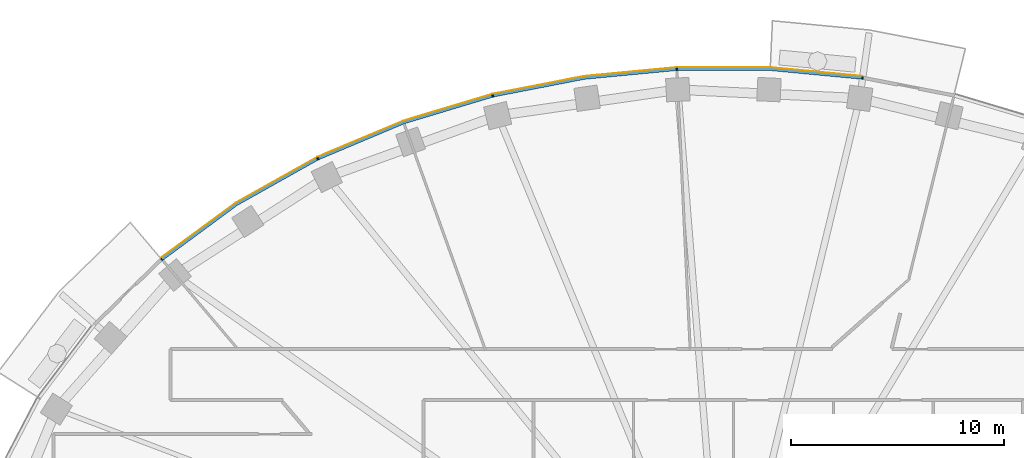
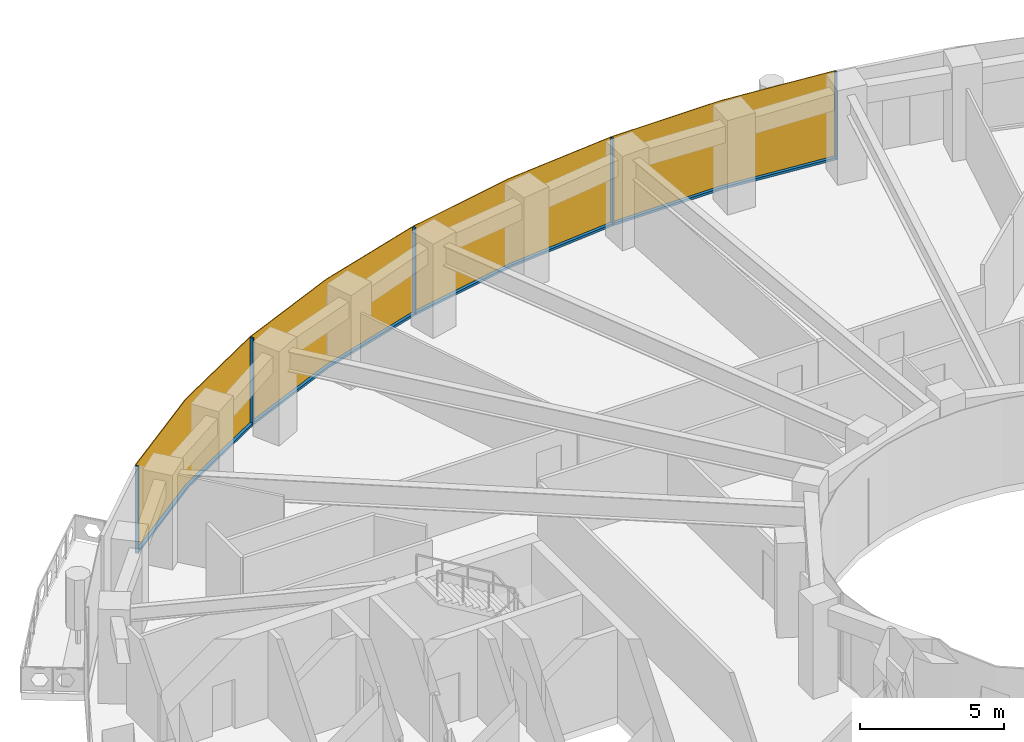
# One storey, part 11 of 16: 9 members, 1 curtain wall.
"""IFC4 building model written with IfcOpenShell, lengths in metres."""

from ifc_helpers import new_model, si_unit, direction, frame, origin, origin_2d, place, context, subcontext, project, spatial, polyline, rectangle, outline, extrude, material, layer, layer_set, material_profile, profile_set, type_object, element, aggregate, save


model = new_model("IFC4")

# Units and contexts
model_context = context("Model", 3, precision=1e-05, world=origin(), true_north=direction((0.0, 1.0)))
body_context = subcontext(model_context, "Body", "Model", "MODEL_VIEW")
ifc_project = project(units=[si_unit("LENGTHUNIT", "METRE"), si_unit("AREAUNIT", "SQUARE_METRE"), si_unit("VOLUMEUNIT", "CUBIC_METRE"), si_unit("PLANEANGLEUNIT", "RADIAN"), si_unit("MASSUNIT", "GRAM", prefix="KILO")], contexts=[model_context])

# Member
ifc_material_1 = material(Name="Aluminium 6063-T6 black anodised", Category="aluminium")
ifc_material_profile = material_profile(ifc_material_1, rectangle(XDim=0.1201171875, YDim=0.06005859375, at=origin_2d()), Name="120x60")
ifc_profile_set = profile_set([ifc_material_profile], Name="Aluminium 6063-T6 black anodised")
member_type_1 = type_object("IfcMemberType", Name="ENV-MULLION-A-120", PredefinedType="MULLION", material=ifc_profile_set)
site_placement = place(None, origin())
building_placement = place(site_placement, origin())
storey_placement = place(building_placement, frame((0.0, 0.0, 249.5)))
member_1_placement = place(storey_placement, frame((6.54638671875, 27.440185546875, 0.0), z_axis=(0.0, 0.0, 1.0), x_axis=(-0.143082012705, -0.989710835366, 0.0)))
member_1 = element("IfcMember", 1, at=member_1_placement, type_object=member_type_1, Name="Mullion A radial 11", PredefinedType="MULLION", context=body_context, shape_type="SweptSolid", body=[
    extrude(rectangle(XDim=0.1201171875, YDim=0.06005859375, at=origin_2d()), origin(), (0.0, 0.0, 1.0), 3.699951171875),
])

member_2_placement = place(storey_placement, frame((-2.188720703125, 27.856201171875, 0.0), z_axis=(0.0, 0.0, 1.0), x_axis=(0.047557873581, -0.998868484166, 0.0)))
member_2 = element("IfcMember", 2, at=member_2_placement, type_object=member_type_1, Name="Mullion A radial 13", PredefinedType="MULLION", context=body_context, shape_type="SweptSolid", body=[
    extrude(rectangle(XDim=0.1201171875, YDim=0.06005859375, at=origin_2d()), origin(), (0.0, 0.0, 1.0), 3.699951171875),
])

member_3_placement = place(storey_placement, frame((-10.84326171875, 26.60498046875, 0.0), z_axis=(0.0, 0.0, 1.0), x_axis=(0.239799081534, -0.970822538106, 0.0)))
member_3 = element("IfcMember", 3, at=member_3_placement, type_object=member_type_1, Name="Mullion A radial 15", PredefinedType="MULLION", context=body_context, shape_type="SweptSolid", body=[
    extrude(rectangle(XDim=0.1201171875, YDim=0.06005859375, at=origin_2d()), origin(), (0.0, 0.0, 1.0), 3.699951171875),
])

member_4_placement = place(storey_placement, frame((-19.06787109375, 23.6474609375, 0.0), z_axis=(0.0, 0.0, 1.0), x_axis=(0.439237769837, -0.898370848563, 0.0)))
member_4 = element("IfcMember", 4, at=member_4_placement, type_object=member_type_1, Name="Mullion A radial 17", PredefinedType="MULLION", context=body_context, shape_type="SweptSolid", body=[
    extrude(rectangle(XDim=0.1201171875, YDim=0.06005859375, at=origin_2d()), origin(), (0.0, 0.0, 1.0), 3.699951171875),
])

member_5_placement = place(storey_placement, frame((-26.403564453125, 18.9130859375, 0.0), z_axis=(0.0, 0.0, 1.0), x_axis=(0.646451313783, -0.762955240435, 0.0)))
member_5 = element("IfcMember", 5, at=member_5_placement, type_object=member_type_1, Name="Mullion A radial 19", PredefinedType="MULLION", context=body_context, shape_type="SweptSolid", body=[
    extrude(rectangle(XDim=0.1201171875, YDim=0.06005859375, at=origin_2d()), origin(), (0.0, 0.0, 1.0), 3.699951171875),
])

ifc_material_2 = material(Name="Aluminium 6063-T6 black anodised", Category="aluminium")
member_type_2 = type_object("IfcMemberType", Name="ENV-TRANSOM-A", PredefinedType="USERDEFINED", material=ifc_material_2)
member_6_placement = place(storey_placement, origin())
member_6 = element("IfcMember", 6, at=member_6_placement, type_object=member_type_2, Name="Transom A radial 11-13", ObjectType="TRANSOM", PredefinedType="USERDEFINED", context=body_context, shape_type="SweptSolid", body=[
    extrude(outline(polyline([(6.527099609375, 27.502197265625), (2.191650390625, 27.916015625), (-2.163818359375, 27.916015625), (-2.157958984375, 27.7958984375), (2.185791015625, 27.7958984375), (6.510009765625, 27.38330078125), (6.527099609375, 27.502197265625)])), origin(), (0.0, 0.0, 1.0), 0.10009765625),
])

member_7_placement = place(storey_placement, origin())
member_7 = element("IfcMember", 7, at=member_7_placement, type_object=member_type_2, Name="Transom A radial 13-15", ObjectType="TRANSOM", PredefinedType="USERDEFINED", context=body_context, shape_type="SweptSolid", body=[
    extrude(outline(polyline([(-2.219482421875, 27.913330078125), (-6.55517578125, 27.49951171875), (-10.830078125, 26.66845703125), (-10.80126953125, 26.552001953125), (-6.537841796875, 27.380615234375), (-2.2138671875, 27.793212890625), (-2.219482421875, 27.913330078125)])), origin(), (0.0, 0.0, 1.0), 0.10009765625),
])

member_8_placement = place(storey_placement, origin())
member_8 = element("IfcMember", 8, at=member_8_placement, type_object=member_type_2, Name="Transom A radial 15-17", ObjectType="TRANSOM", PredefinedType="USERDEFINED", context=body_context, shape_type="SweptSolid", body=[
    extrude(outline(polyline([(-10.884521484375, 26.655029296875), (-15.054443359375, 25.400146484375), (-19.068359375, 23.71240234375), (-19.015380859375, 23.604248046875), (-15.013916015625, 25.287109375), (-10.855712890625, 26.53857421875), (-10.884521484375, 26.655029296875)])), origin(), (0.0, 0.0, 1.0), 0.10009765625),
])

member_9_placement = place(storey_placement, origin())
member_9 = element("IfcMember", 9, at=member_9_placement, type_object=member_type_2, Name="Transom A radial 17-19", ObjectType="TRANSOM", PredefinedType="USERDEFINED", context=body_context, shape_type="SweptSolid", body=[
    extrude(outline(polyline([(-19.11865234375, 23.687744140625), (-22.9150390625, 21.556884765625), (-26.419921875, 18.975341796875), (-26.342041015625, 18.883544921875), (-22.85009765625, 21.455810546875), (-19.06591796875, 23.57958984375), (-19.11865234375, 23.687744140625)])), origin(), (0.0, 0.0, 1.0), 0.10009765625),
])

# Site, building, storey
site = spatial("IfcSite", under=ifc_project, at=site_placement, CompositionType="ELEMENT")
building = spatial("IfcBuilding", under=site, at=building_placement, Name="Noorbagh Ring Tower", CompositionType="ELEMENT")
storey = spatial("IfcBuildingStorey", under=building, at=storey_placement, Name="L52", CompositionType="ELEMENT", Elevation=249.5)

# Curtain wall
ifc_material_3 = material(Name="Glass dark tinted laminated", Category="glass")
ifc_layer = layer(ifc_material_3, 0.031982421875)
ifc_layer_set = layer_set([ifc_layer], Name="Glass dark tinted laminated")
curtain_wall_type = type_object("IfcCurtainWallType", Name="ENV-CW-A", PredefinedType="NOTDEFINED", material=ifc_layer_set)
curtain_wall_placement = place(storey_placement, origin())
curtain_wall = element("IfcCurtainWall", 10, at=curtain_wall_placement, inside=storey, type_object=curtain_wall_type, Name="Curtain wall A R11", PredefinedType="NOTDEFINED", context=body_context, shape_type="SweptSolid", body=[
    extrude(outline(polyline([(6.539794921875, 27.533203125), (2.193115234375, 27.947998046875), (-2.193115234375, 27.947998046875), (-6.559814453125, 27.53125), (-10.865234375, 26.6943359375), (-15.065185546875, 25.430419921875), (-19.108154296875, 23.730224609375), (-22.9326171875, 21.583740234375), (-26.447021484375, 18.9951171875), (-26.42626953125, 18.970703125), (-22.9150390625, 21.556884765625), (-19.093994140625, 23.701416015625), (-15.054443359375, 25.400146484375), (-10.857666015625, 26.6630859375), (-6.55517578125, 27.49951171875), (-2.191650390625, 27.916015625), (2.191650390625, 27.916015625), (6.53515625, 27.50146484375), (6.539794921875, 27.533203125)])), origin(), (0.0, 0.0, 1.0), 3.699951171875),
])

aggregate(curtain_wall, [member_1, member_2, member_3, member_4, member_5, member_6, member_7, member_8, member_9])

save(model, "model.ifc")
